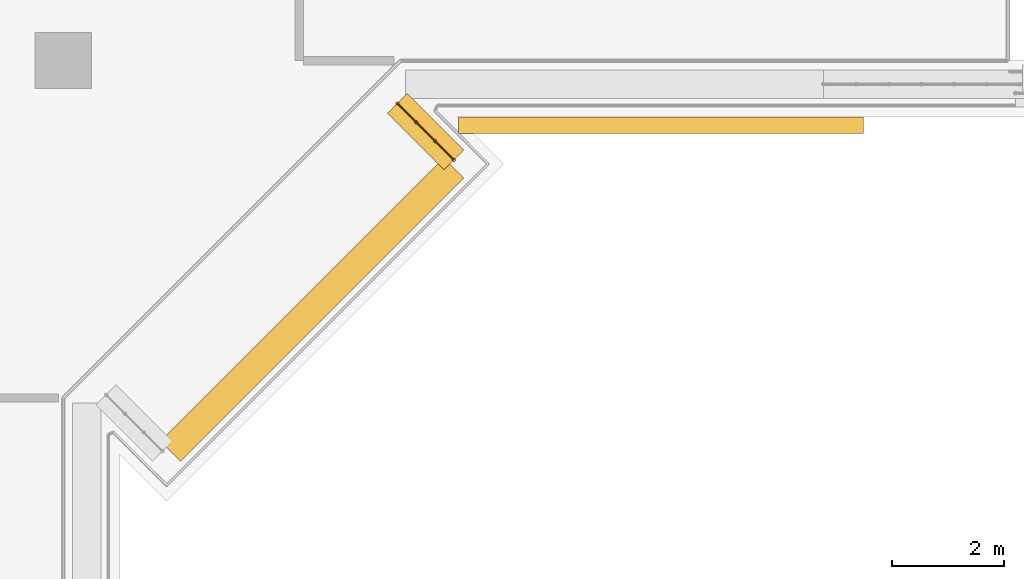
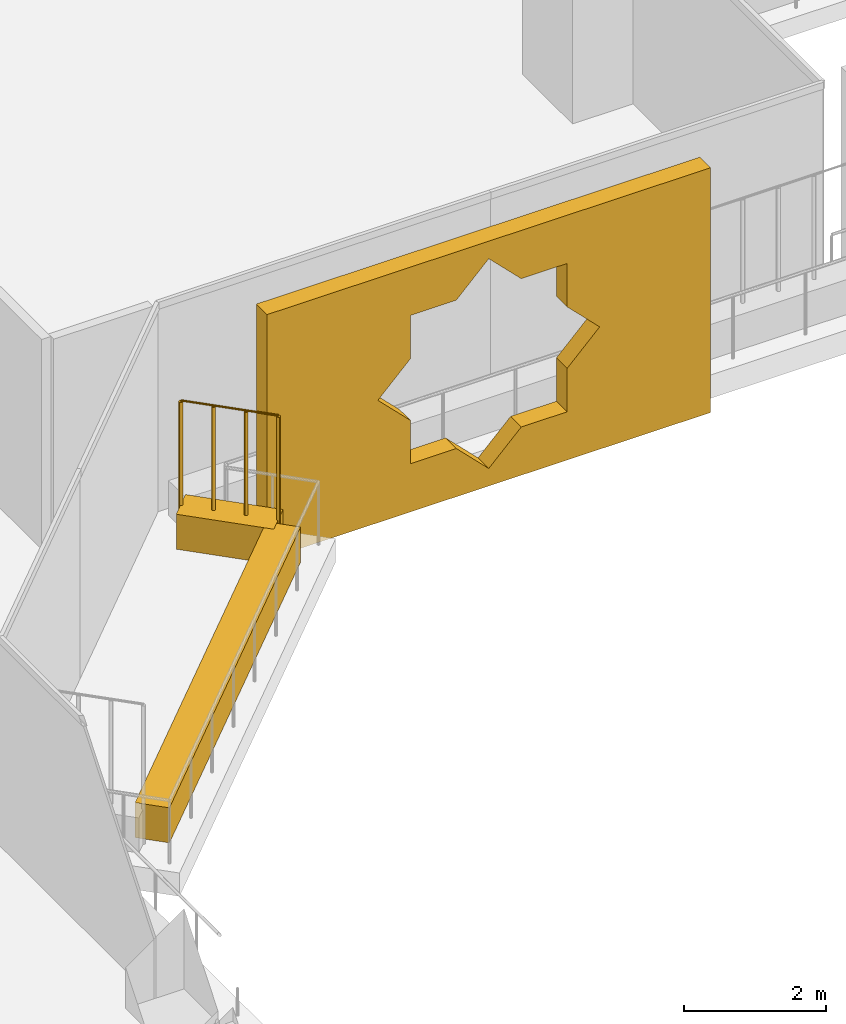
# One storey, part 18 of 23: 3 coverings, 1 railing.
"""IFC4 building model written with IfcOpenShell, lengths in metres."""

from ifc_helpers import new_model, si_unit, direction, frame, origin, origin_2d, place, context, subcontext, project, spatial, polyline, rectangle, circle, outline, extrude, material, material_profile, profile_set, type_object, element, save


model = new_model("IFC4")

# Units and contexts
model_context = context("Model", 3, precision=1e-05, world=origin(), true_north=direction((0.0, 1.0)))
body_context = subcontext(model_context, "Body", "Model", "MODEL_VIEW")
ifc_project = project(units=[si_unit("LENGTHUNIT", "METRE"), si_unit("AREAUNIT", "SQUARE_METRE"), si_unit("VOLUMEUNIT", "CUBIC_METRE"), si_unit("PLANEANGLEUNIT", "RADIAN"), si_unit("MASSUNIT", "GRAM", prefix="KILO")], contexts=[model_context])

# Site, building, storey
site_placement = place(None, origin())
site = spatial("IfcSite", under=ifc_project, at=site_placement, CompositionType="ELEMENT")
building_placement = place(site_placement, origin())
building = spatial("IfcBuilding", under=site, at=building_placement, Name="Kawkab Arch Medical Tower", CompositionType="ELEMENT")
storey_placement = place(building_placement, frame((0.0, 0.0, 158.39990234375)))
storey = spatial("IfcBuildingStorey", under=building, at=storey_placement, Name="L36", CompositionType="ELEMENT", Elevation=158.39990234375)

# Coverings
ifc_material_1 = material(Name="Bronze anodised aluminium mashrabiya panel, eight-point star pattern", Category="aluminium")
ifc_material_profile_1 = material_profile(ifc_material_1, outline(polyline([(-3.60009765625, -2.10009765625), (3.60009765625, -2.10009765625), (3.60009765625, 2.10009765625), (-3.60009765625, 2.10009765625), (-3.60009765625, -2.10009765625)]), holes=[polyline([(1.800048828125, 0.0), (1.272705078125, 0.527099609375), (1.272705078125, 1.272705078125), (0.527099609375, 1.272705078125), (0.0, 1.800048828125), (-0.527099609375, 1.272705078125), (-1.272705078125, 1.272705078125), (-1.272705078125, 0.527099609375), (-1.800048828125, 0.0), (-1.272705078125, -0.527099609375), (-1.272705078125, -1.272705078125), (-0.527099609375, -1.272705078125), (0.0, -1.800048828125), (0.527099609375, -1.272705078125), (1.272705078125, -1.272705078125), (1.272705078125, -0.527099609375), (1.800048828125, 0.0)])]), Name="Mashrabiya panel 7200x4200")
ifc_profile_set_1 = profile_set([ifc_material_profile_1], Name="Bronze anodised aluminium mashrabiya panel, eight-point star pattern")
covering_type_1 = type_object("IfcCoveringType", Name="Mashrabiya panel 7200 x 4200", PredefinedType="USERDEFINED", material=ifc_profile_set_1)
covering_1_placement = place(storey_placement, frame((35.830078125, -32.199951171875, 1.7001953125), z_axis=(0.0, -1.0, 0.0), x_axis=(1.0, 0.0, 0.0)))
element("IfcCovering", 1, at=covering_1_placement, inside=storey, type_object=covering_type_1, Name="Mashrabiya panel L36.LOG-01-02.2", ObjectType="SCREEN", PredefinedType="USERDEFINED", context=body_context, shape_type="SweptSolid", body=[
    extrude(outline(polyline([(-3.60009765625, -2.10009765625), (3.60009765625, -2.10009765625), (3.60009765625, 2.10009765625), (-3.60009765625, 2.10009765625), (-3.60009765625, -2.10009765625)]), holes=[polyline([(1.800048828125, 0.0), (1.272705078125, 0.527099609375), (1.272705078125, 1.272705078125), (0.527099609375, 1.272705078125), (0.0, 1.800048828125), (-0.527099609375, 1.272705078125), (-1.272705078125, 1.272705078125), (-1.272705078125, 0.527099609375), (-1.800048828125, 0.0), (-1.272705078125, -0.527099609375), (-1.272705078125, -1.272705078125), (-0.527099609375, -1.272705078125), (0.0, -1.800048828125), (0.527099609375, -1.272705078125), (1.272705078125, -1.272705078125), (1.272705078125, -0.527099609375), (1.800048828125, 0.0)])]), origin(), (0.0, 0.0, 1.0), 0.300048828125),
])
ifc_material_2 = material(Name="Planting soil in a precast trough", Category="concrete")
ifc_material_profile_2 = material_profile(ifc_material_2, rectangle(XDim=0.5, YDim=0.60009765625, at=origin_2d()), Name="Trough 500x600")
ifc_profile_set_2 = profile_set([ifc_material_profile_2], Name="Planting soil in a precast trough")
covering_type_2 = type_object("IfcCoveringType", Name="Planter trough 500 x 600", PredefinedType="USERDEFINED", material=ifc_profile_set_2)
covering_2_placement = place(storey_placement, frame((31.14306640625, -31.962890625, 0.300048828125), z_axis=(0.707020805532, -0.707192746389, 0.0), x_axis=(0.707192746389, 0.707020805532, 0.0)))
element("IfcCovering", 2, at=covering_2_placement, inside=storey, type_object=covering_type_2, Name="Planter L36.LOG-01-02.7", ObjectType="PLANTER", PredefinedType="USERDEFINED", context=body_context, shape_type="SweptSolid", body=[
    extrude(rectangle(XDim=0.5, YDim=0.60009765625, at=origin_2d()), origin(), (0.0, 0.0, 1.0), 1.419921875),
])
covering_3_placement = place(storey_placement, frame((32.14697265625, -33.10888671875, 0.300048828125), z_axis=(-0.707106781187, -0.707106781187, 0.0), x_axis=(0.707106781187, -0.707106781187, 0.0)))
element("IfcCovering", 3, at=covering_3_placement, inside=storey, type_object=covering_type_2, Name="Planter L36.LOG-01-02.8", ObjectType="PLANTER", PredefinedType="USERDEFINED", context=body_context, shape_type="SweptSolid", body=[
    extrude(rectangle(XDim=0.5, YDim=0.60009765625, at=origin_2d()), origin(), (0.0, 0.0, 1.0), 7.125),
])

# Railing
ifc_material_3 = material(Name="Bronze anodised aluminium trellis for climbing plants", Category="aluminium")
railing_type = type_object("IfcRailingType", Name="Planting trellis 2400", PredefinedType="USERDEFINED", material=ifc_material_3)
railing_placement = place(storey_placement, frame((31.14306640625, -31.962890625, 0.0)))
element("IfcRailing", 4, at=railing_placement, inside=storey, type_object=railing_type, Name="Planting trellis L36.LOG-01-02.7", ObjectType="TRELLIS", PredefinedType="USERDEFINED", context=body_context, shape_type="SweptSolid", body=[
    extrude(circle(Radius=0.01513671875, at=origin_2d()), frame((0.0, 0.0, 2.384765625), z_axis=(0.707020805532, -0.707192746389, 0.0), x_axis=(0.707192746389, 0.707020805532, 0.0)), (0.0, 0.0, 1.0), 1.419921875),
    extrude(circle(Radius=0.030029296875, at=origin_2d()), origin(), (0.0, 0.0, 1.0), 2.369873046875),
    extrude(circle(Radius=0.030029296875, at=origin_2d()), frame((0.334716796875, -0.334716796875, 0.0)), (0.0, 0.0, 1.0), 2.369873046875),
    extrude(circle(Radius=0.030029296875, at=origin_2d()), frame((0.669189453125, -0.66943359375, 0.0)), (0.0, 0.0, 1.0), 2.369873046875),
    extrude(circle(Radius=0.030029296875, at=origin_2d()), frame((1.00390625, -1.004150390625, 0.0)), (0.0, 0.0, 1.0), 2.369873046875),
])

save(model, "model.ifc")
